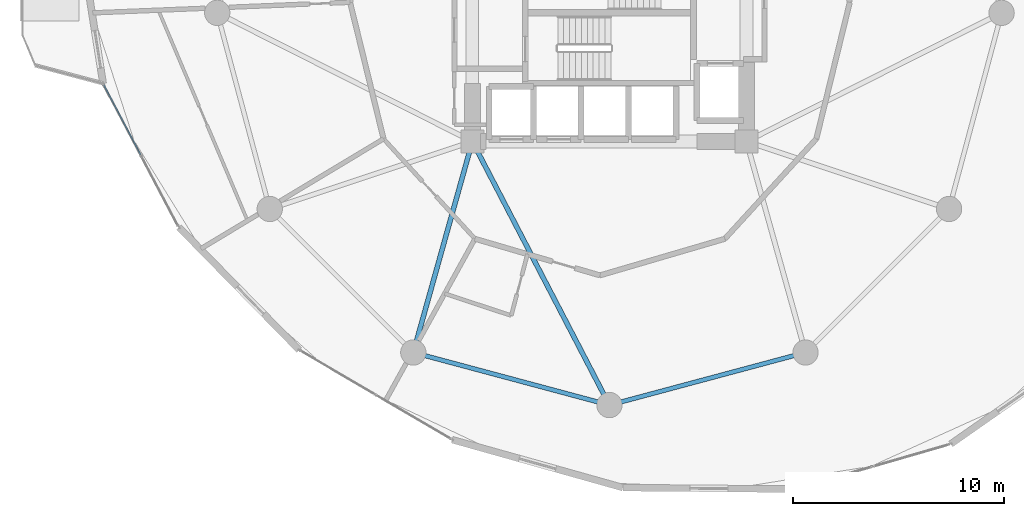
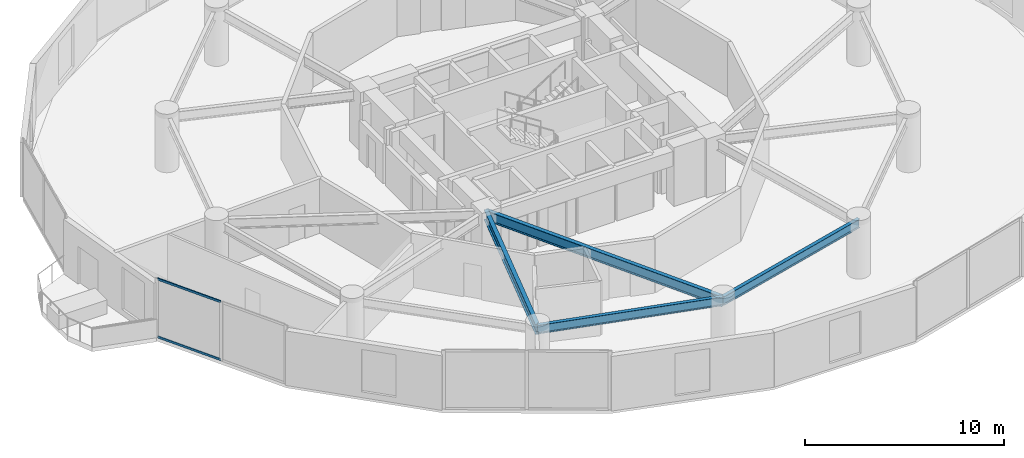
# One storey, part 4 of 24: 4 beams, 2 members, 1 element without a shape of its own.
"""IFC4 building model written with IfcOpenShell, lengths in metres."""

from ifc_helpers import new_model, si_unit, direction, frame, origin, origin_2d, place, context, subcontext, project, spatial, hollow_rectangle, i_section, extrude, source, transform, mapped, material, layer, layer_set, material_profile, profile_set, type_object, element, aggregate, save


model = new_model("IFC4")

# Units and contexts
model_context = context("Model", 3, precision=1e-05, world=origin(), true_north=direction((0.0, 1.0)))
body_context = subcontext(model_context, "Body", "Model", "MODEL_VIEW")
ifc_project = project(units=[si_unit("LENGTHUNIT", "METRE"), si_unit("AREAUNIT", "SQUARE_METRE"), si_unit("VOLUMEUNIT", "CUBIC_METRE"), si_unit("PLANEANGLEUNIT", "RADIAN"), si_unit("MASSUNIT", "GRAM", prefix="KILO")], contexts=[model_context])

# Site, building, storey
site_placement = place(None, origin())
site = spatial("IfcSite", under=ifc_project, at=site_placement, CompositionType="ELEMENT")
building_placement = place(site_placement, origin())
building = spatial("IfcBuilding", under=site, at=building_placement, Name="Solvirekh Grand Hotel", CompositionType="ELEMENT")
storey_placement = place(building_placement, frame((0.0, 0.0, 82.39990234375)))
storey = spatial("IfcBuildingStorey", under=building, at=storey_placement, Name="L20", CompositionType="ELEMENT", Elevation=82.39990234375)

# Beams
ifc_material_1 = material(Name="Steel S355", Category="steel")
ifc_material_profile_1 = material_profile(ifc_material_1, i_section(OverallWidth=0.22998046875, OverallDepth=0.615966796875, WebThickness=0.013916015625, FlangeThickness=0.02392578125, FilletRadius=0.014892578125, at=origin_2d()), Name="W610X174")
ifc_profile_set_1 = profile_set([ifc_material_profile_1], Name="Steel S355")
beam_type_1 = type_object("IfcBeamType", Name="Beam_Primary_W610H", PredefinedType="BEAM", material=ifc_profile_set_1)
beam_1_placement = place(storey_placement, frame((-6.5, -6.10009765625, 3.031982421875), z_axis=(-0.269439084681, -0.963017434757, 0.0), x_axis=(0.963017434757, -0.269439084681, 0.0)))
element("IfcBeam", 1, at=beam_1_placement, inside=storey, type_object=beam_type_1, Name="L20 radial floor beam R09", PredefinedType="BEAM", context=body_context, shape_type="SweptSolid", body=[
    extrude(i_section(OverallWidth=0.22998046875, OverallDepth=0.615966796875, WebThickness=0.013916015625, FlangeThickness=0.02392578125, FilletRadius=0.014892578125, at=origin_2d()), origin(), (0.0, 0.0, 1.0), 10.39208984375),
])
beam_2_placement = place(storey_placement, frame((-6.5, -6.10009765625, 3.031982421875), z_axis=(0.461352736642, -0.887216801235, 0.0), x_axis=(0.887216801235, 0.461352736642, 0.0)))
element("IfcBeam", 2, at=beam_2_placement, inside=storey, type_object=beam_type_1, Name="L20 radial floor beam R10", PredefinedType="BEAM", context=body_context, shape_type="SweptSolid", body=[
    extrude(i_section(OverallWidth=0.22998046875, OverallDepth=0.615966796875, WebThickness=0.013916015625, FlangeThickness=0.02392578125, FilletRadius=0.014892578125, at=origin_2d()), origin(), (0.0, 0.0, 1.0), 14.089111328125),
])
ifc_material_profile_2 = material_profile(ifc_material_1, i_section(OverallWidth=0.208984375, OverallDepth=0.532958984375, WebThickness=0.010009765625, FlangeThickness=0.014892578125, FilletRadius=0.013916015625, at=origin_2d()), Name="W530X92")
ifc_profile_set_2 = profile_set([ifc_material_profile_2], Name="Steel S355")
beam_type_2 = type_object("IfcBeamType", Name="Spandrel_Ring_W530", PredefinedType="SPANDREL", material=ifc_profile_set_2)
for number, where, z_axis, x_axis, name in (
    (3, (-9.300048828125, -16.10791015625, 3.07421875), (0.965919414426, -0.258842973314, 0.0), (0.258842973314, 0.965919414426, 0.0), "L20 perimeter spandrel beam 9"),
    (4, (0.0, -18.60009765625, 3.07421875), (0.965919414426, 0.258842973314, 0.0), (-0.258842973314, 0.965919414426, 0.0), "L20 perimeter spandrel beam 10"),
):
    element("IfcBeam", number, at=place(storey_placement, frame(where, z_axis=z_axis, x_axis=x_axis)), inside=storey, type_object=beam_type_2, Name=name, PredefinedType="SPANDREL", context=body_context, shape_type="SweptSolid", body=[
        extrude(i_section(OverallWidth=0.208984375, OverallDepth=0.532958984375, WebThickness=0.010009765625, FlangeThickness=0.014892578125, FilletRadius=0.013916015625, at=origin_2d()), origin(), (0.0, 0.0, 1.0), 9.628173828125),
    ])

# Curtain wall, members
ifc_material_2 = material(Name="Anodized Bronze Aluminium 6063-T6", Category="aluminium")
ifc_layer = layer(ifc_material_2, 0.18994140625)
ifc_layer_set = layer_set([ifc_layer], Name="Anodized Bronze Aluminium 6063-T6")
curtain_wall_type = type_object("IfcCurtainWallType", Name="CW_Sys2_LowZoneFlushBronzeCW", PredefinedType="NOTDEFINED", material=ifc_layer_set)
curtain_wall_placement = place(storey_placement, origin())
curtain_wall = element("IfcCurtainWall", 5, at=curtain_wall_placement, inside=storey, type_object=curtain_wall_type, Name="L20 unitised bronze-glass curtain wall CW-L20-C13", PredefinedType="NOTDEFINED")
ifc_material_profile_3 = material_profile(ifc_material_2, hollow_rectangle(XDim=0.06005859375, YDim=0.135009765625, WallThickness=0.00390625, at=origin_2d()), Name="ALU RHS 135X60X4")
ifc_profile_set_3 = profile_set([ifc_material_profile_3], Name="Anodized Bronze Aluminium 6063-T6")
member_type = type_object("IfcMemberType", Name="CWTransom_Sys2", PredefinedType="USERDEFINED", material=ifc_profile_set_3)
shared_shape = source(origin(), body_context, "Body", "SweptSolid", [
    extrude(hollow_rectangle(XDim=0.06005859375, YDim=0.135009765625, WallThickness=0.00390625, at=origin_2d()), origin(), (0.0, 0.0, 1.0), 3.747314453125),
])
member_1_placement = place(storey_placement, frame((-23.979248046875, -3.412841796875, 0.030029296875), z_axis=(0.466162590976, -0.884699066787, 0.0), x_axis=(0.884699066787, 0.466162590976, 0.0)))
member_1 = element("IfcMember", 6, at=member_1_placement, type_object=member_type, Name="U02 transom 1.1", ObjectType="TRANSOM", PredefinedType="USERDEFINED", context=body_context, shape_type="MappedRepresentation", body=[
    mapped(shared_shape, transform((0.0, 0.0, 0.0), x_axis=(1.0, 0.0, 0.0), y_axis=(0.0, 1.0, 0.0), z_axis=(0.0, 0.0, 1.0), scale=1.0)),
])
member_2_placement = place(storey_placement, frame((-23.979248046875, -3.412841796875, 3.570068359375), z_axis=(0.466162590976, -0.884699066787, 0.0), x_axis=(0.884699066787, 0.466162590976, 0.0)))
member_2 = element("IfcMember", 7, at=member_2_placement, type_object=member_type, Name="U02 transom 1.2", ObjectType="TRANSOM", PredefinedType="USERDEFINED", context=body_context, shape_type="MappedRepresentation", body=[
    mapped(shared_shape, transform((0.0, 0.0, 0.0), x_axis=(1.0, 0.0, 0.0), y_axis=(0.0, 1.0, 0.0), z_axis=(0.0, 0.0, 1.0), scale=1.0)),
])
aggregate(curtain_wall, [member_1, member_2])

save(model, "model.ifc")
